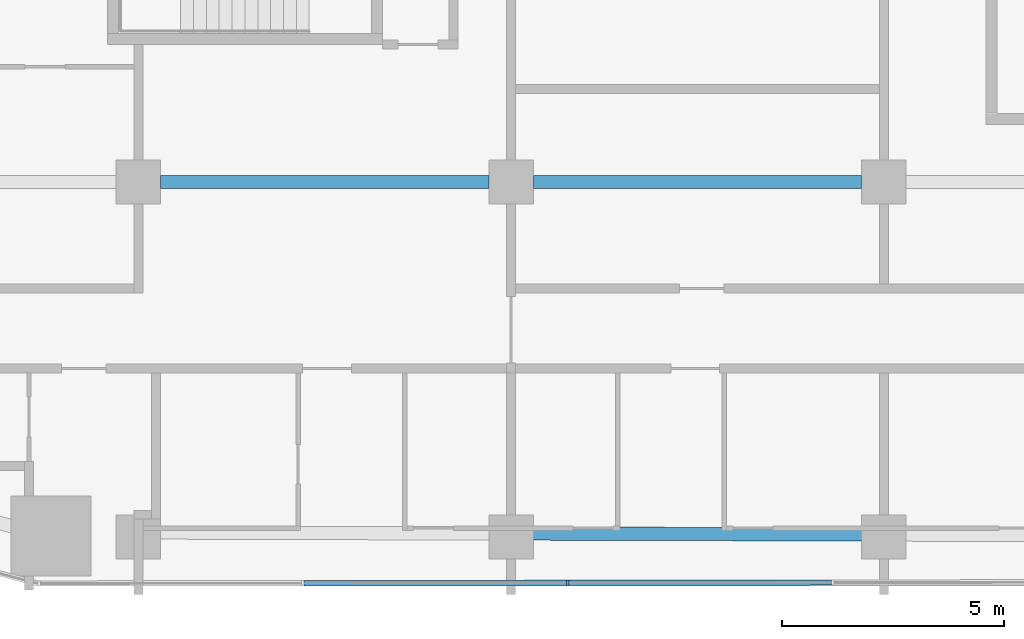
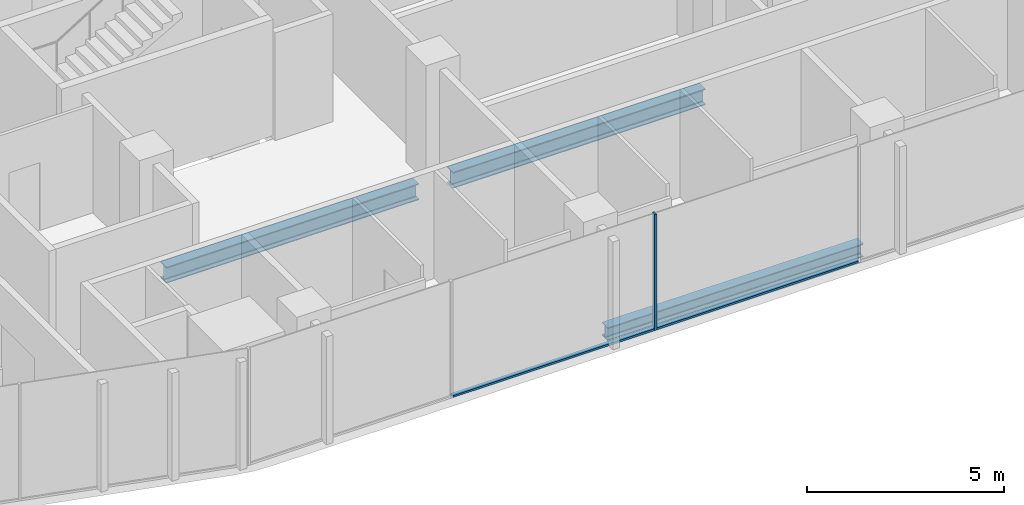
# One storey, part 3 of 25: 3 beams, 3 members, 1 element without a shape of its own.
"""IFC4 building model written with IfcOpenShell, lengths in metres."""

from ifc_helpers import new_model, si_unit, direction, frame, origin, origin_2d, place, context, subcontext, project, spatial, rectangle, i_section, extrude, material, layer, layer_set, material_profile, profile_set, type_object, element, aggregate, save


model = new_model("IFC4")

# Units and contexts
model_context = context("Model", 3, precision=1e-05, world=origin(), true_north=direction((0.0, 1.0)))
body_context = subcontext(model_context, "Body", "Model", "MODEL_VIEW")
ifc_project = project(units=[si_unit("LENGTHUNIT", "METRE"), si_unit("AREAUNIT", "SQUARE_METRE"), si_unit("VOLUMEUNIT", "CUBIC_METRE"), si_unit("PLANEANGLEUNIT", "RADIAN"), si_unit("MASSUNIT", "GRAM", prefix="KILO")], contexts=[model_context])

# Site, building, storey
site_placement = place(None, origin())
site = spatial("IfcSite", under=ifc_project, at=site_placement, CompositionType="ELEMENT")
building_placement = place(site_placement, origin())
building = spatial("IfcBuilding", under=site, at=building_placement, Name="Marenta Gate Hotel Tower", CompositionType="ELEMENT")
storey_placement = place(building_placement, frame((0.0, 0.0, 50.89990234375)))
storey = spatial("IfcBuildingStorey", under=building, at=storey_placement, Name="L10", CompositionType="ELEMENT", Elevation=50.89990234375)

# Beams
ifc_material_1 = material(Name="Steel S355", Category="steel")
ifc_material_profile_1 = material_profile(ifc_material_1, i_section(OverallWidth=0.300048828125, OverallDepth=0.39990234375, WebThickness=0.013427734375, FlangeThickness=0.02392578125, FilletRadius=0.027099609375, at=origin_2d()), Name="HEB 400")
ifc_profile_set_1 = profile_set([ifc_material_profile_1], Name="Steel S355")
beam_type_1 = type_object("IfcBeamType", Name="Edge beam HEB 400", PredefinedType="SPANDREL", material=ifc_profile_set_1)
beam_1_placement = place(storey_placement, frame((3.739990234375, -16.3427734375, -0.4599609375), z_axis=(-0.99999624158, 0.002741683018, 0.0), x_axis=(-0.002741683018, -0.99999624158, 0.0)))
element("IfcBeam", 1, at=beam_1_placement, inside=storey, type_object=beam_type_1, Name="L10-EB-33", PredefinedType="SPANDREL", context=body_context, shape_type="SweptSolid", body=[
    extrude(i_section(OverallWidth=0.300048828125, OverallDepth=0.39990234375, WebThickness=0.013427734375, FlangeThickness=0.02392578125, FilletRadius=0.027099609375, at=origin_2d()), origin(), (0.0, 0.0, 1.0), 7.47998046875),
])
ifc_material_2 = material(Name="Steel S355", Category="steel")
ifc_material_profile_2 = material_profile(ifc_material_2, i_section(OverallWidth=0.300048828125, OverallDepth=0.5, WebThickness=0.014404296875, FlangeThickness=0.028076171875, FilletRadius=0.027099609375, at=origin_2d()), Name="HEB 500")
ifc_profile_set_2 = profile_set([ifc_material_profile_2], Name="Steel S355")
beam_type_2 = type_object("IfcBeamType", Name="Girder HEB 500", PredefinedType="BEAM", material=ifc_profile_set_2)
beam_2_placement = place(storey_placement, frame((-12.10009765625, -8.39990234375, -0.510009765625), z_axis=(1.0, 0.0, 0.0), x_axis=(0.0, 1.0, 0.0)))
element("IfcBeam", 2, at=beam_2_placement, inside=storey, type_object=beam_type_2, Name="L10-GD-3", PredefinedType="BEAM", context=body_context, shape_type="SweptSolid", body=[
    extrude(i_section(OverallWidth=0.300048828125, OverallDepth=0.5, WebThickness=0.014404296875, FlangeThickness=0.028076171875, FilletRadius=0.027099609375, at=origin_2d()), origin(), (0.0, 0.0, 1.0), 7.400146484375),
])
beam_3_placement = place(storey_placement, frame((-3.699951171875, -8.39990234375, -0.510009765625), z_axis=(1.0, 0.0, 0.0), x_axis=(0.0, 1.0, 0.0)))
element("IfcBeam", 3, at=beam_3_placement, inside=storey, type_object=beam_type_2, Name="L10-GD-4", PredefinedType="BEAM", context=body_context, shape_type="SweptSolid", body=[
    extrude(i_section(OverallWidth=0.300048828125, OverallDepth=0.5, WebThickness=0.014404296875, FlangeThickness=0.028076171875, FilletRadius=0.027099609375, at=origin_2d()), origin(), (0.0, 0.0, 1.0), 7.39990234375),
])

# Curtain wall, members
ifc_material_3 = material(Name="Tinted insulated glass in bronze anodised frame", Category="glass")
ifc_layer = layer(ifc_material_3, 0.1201171875)
ifc_layer_set = layer_set([ifc_layer], Name="Tinted insulated glass in bronze anodised frame")
curtain_wall_type = type_object("IfcCurtainWallType", Name="Tower unitised curtain wall CW1", PredefinedType="NOTDEFINED", material=ifc_layer_set)
curtain_wall_placement = place(storey_placement, origin())
curtain_wall = element("IfcCurtainWall", 4, at=curtain_wall_placement, inside=storey, type_object=curtain_wall_type, Name="CW1 run G07", PredefinedType="NOTDEFINED")
ifc_material_4 = material(Name="Bronze anodised aluminium", Category="aluminium")
ifc_material_profile_3 = material_profile(ifc_material_4, rectangle(XDim=0.1201171875, YDim=0.06005859375, at=origin_2d()), Name="Mullion CW1 60x120 bronze anodised aluminium")
ifc_profile_set_3 = profile_set([ifc_material_profile_3], Name="Bronze anodised aluminium")
member_type_1 = type_object("IfcMemberType", Name="Mullion CW1 60x120 bronze anodised aluminium", PredefinedType="MULLION", material=ifc_profile_set_3)
member_1_placement = place(storey_placement, frame((-2.9248046875, -17.433837890625, 0.0), z_axis=(0.0, 0.0, 1.0), x_axis=(-0.001161921639, 0.999999324969, 0.0)))
member_1 = element("IfcMember", 5, at=member_1_placement, type_object=member_type_1, Name="CW1 mullion 3", PredefinedType="MULLION", context=body_context, shape_type="SweptSolid", body=[
    extrude(rectangle(XDim=0.1201171875, YDim=0.06005859375, at=origin_2d()), origin(), (0.0, 0.0, 1.0), 3.60009765625),
])
ifc_material_5 = material(Name="Bronze anodised aluminium", Category="aluminium")
ifc_material_profile_4 = material_profile(ifc_material_5, rectangle(XDim=0.1201171875, YDim=0.06005859375, at=origin_2d()), Name="Transom CW1 60x120 bronze anodised aluminium")
ifc_profile_set_4 = profile_set([ifc_material_profile_4], Name="Bronze anodised aluminium")
member_type_2 = type_object("IfcMemberType", Name="Transom CW1 60x120 bronze anodised aluminium", PredefinedType="USERDEFINED", material=ifc_profile_set_4)
member_2_placement = place(storey_placement, frame((-8.86767578125, -17.44091796875, 0.030029296875), z_axis=(0.999999283109, 0.001197406136, 0.0), x_axis=(-0.001197406136, 0.999999283109, 0.0)))
member_2 = element("IfcMember", 6, at=member_2_placement, type_object=member_type_2, Name="CW1 transom 2.1", ObjectType="TRANSOM", PredefinedType="USERDEFINED", context=body_context, shape_type="SweptSolid", body=[
    extrude(rectangle(XDim=0.1201171875, YDim=0.06005859375, at=origin_2d()), origin(), (0.0, 0.0, 1.0), 5.912841796875),
])
member_3_placement = place(storey_placement, frame((-2.894775390625, -17.433837890625, 0.030029296875), z_axis=(0.999999331697, 0.001156116326, 0.0), x_axis=(-0.001156116326, 0.999999331697, 0.0)))
member_3 = element("IfcMember", 7, at=member_3_placement, type_object=member_type_2, Name="CW1 transom 3.1", ObjectType="TRANSOM", PredefinedType="USERDEFINED", context=body_context, shape_type="SweptSolid", body=[
    extrude(rectangle(XDim=0.1201171875, YDim=0.06005859375, at=origin_2d()), origin(), (0.0, 0.0, 1.0), 5.912841796875),
])
aggregate(curtain_wall, [member_1, member_2, member_3])

save(model, "model.ifc")
